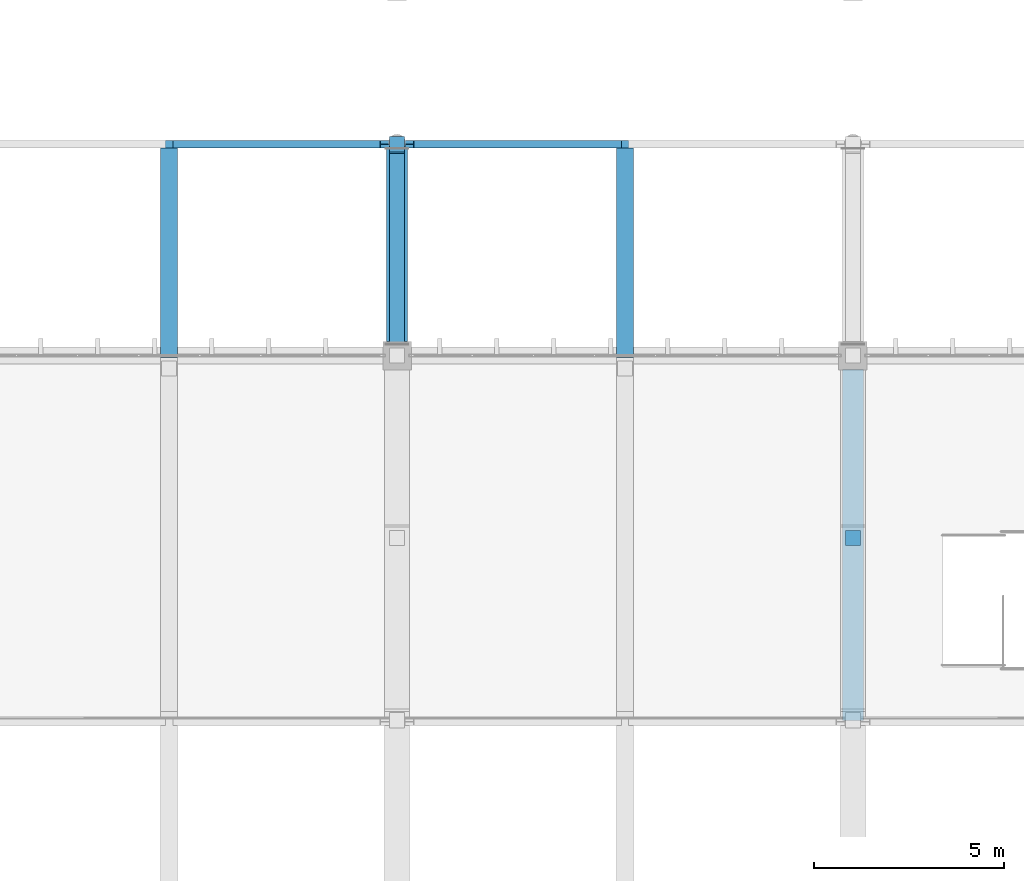
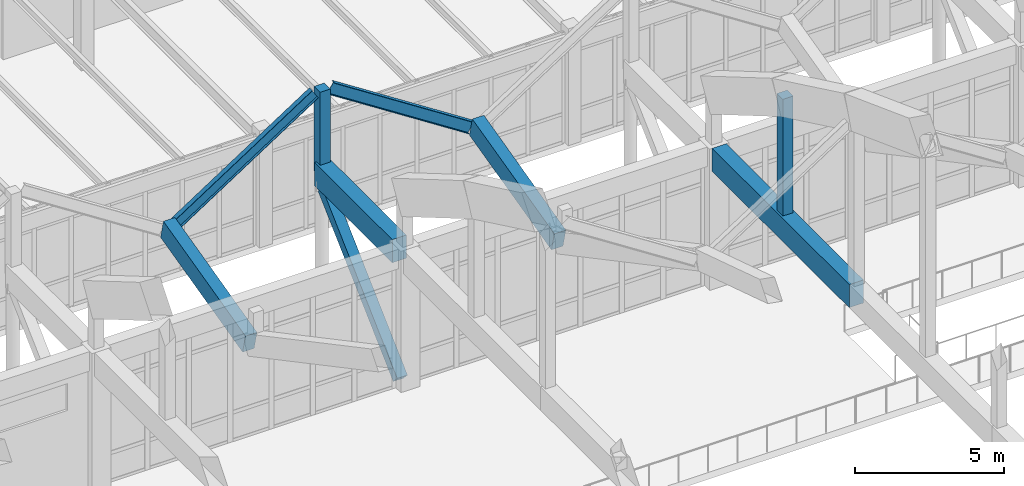
# One storey, part 80 of 236: 6 beams, 3 members.
"""IFC4 building model written with IfcOpenShell, lengths in metres."""

from ifc_helpers import new_model, si_unit, direction, frame, origin, origin_2d, place, context, subcontext, project, spatial, rectangle, i_section, extrude, material, material_profile, profile_set, type_object, element, save


model = new_model("IFC4")

# Units and contexts
model_context = context("Model", 3, precision=1e-05, world=origin(), true_north=direction((0.0, 1.0)))
body_context = subcontext(model_context, "Body", "Model", "MODEL_VIEW")
ifc_project = project(units=[si_unit("LENGTHUNIT", "METRE"), si_unit("AREAUNIT", "SQUARE_METRE"), si_unit("VOLUMEUNIT", "CUBIC_METRE"), si_unit("PLANEANGLEUNIT", "RADIAN"), si_unit("MASSUNIT", "GRAM", prefix="KILO")], contexts=[model_context])

# Site, building, storey
site_placement = place(None, origin())
site = spatial("IfcSite", under=ifc_project, at=site_placement, CompositionType="ELEMENT")
building_placement = place(site_placement, origin())
building = spatial("IfcBuilding", under=site, at=building_placement, Name="Pandanus Reach Market Hall", CompositionType="ELEMENT")
storey_placement = place(building_placement, frame((0.0, 0.0, 5.39990234375)))
storey = spatial("IfcBuildingStorey", under=building, at=storey_placement, Name="L01", CompositionType="ELEMENT", Elevation=5.39990234375)

# Members
ifc_material_1 = material(Name="Concrete N50 (50 MPa)", Category="concrete")
ifc_material_profile_1 = material_profile(ifc_material_1, rectangle(XDim=0.39990234375, YDim=0.39990234375, at=origin_2d()), Name="RC400x400", Category="LoadBearing")
ifc_profile_set_1 = profile_set([ifc_material_profile_1], Name="Concrete N50 (50 MPa)")
member_type_1 = type_object("IfcMemberType", Name="AR-WEB400-E", PredefinedType="STRUT", material=ifc_profile_set_1)
member_1_placement = place(storey_placement, frame((72.0, 91.9599609375, 5.3251953125), z_axis=(0.0, 0.0, 1.0), x_axis=(1.0, 0.0, 0.0)))
element("IfcMember", 1, at=member_1_placement, inside=storey, type_object=member_type_1, Name="Zigzag eaves ridge post A3.N", PredefinedType="STRUT", context=body_context, shape_type="SweptSolid", body=[
    extrude(rectangle(XDim=0.39990234375, YDim=0.39990234375, at=origin_2d()), origin(), (0.0, 0.0, 1.0), 3.474853515625),
])
member_2_placement = place(storey_placement, frame((84.0, 81.60009765625, 5.3251953125), z_axis=(0.0, 0.0, 1.0), x_axis=(1.0, 0.0, 0.0)))
element("IfcMember", 2, at=member_2_placement, inside=storey, type_object=member_type_1, Name="Arch truss vertical web strut A4.11", PredefinedType="STRUT", context=body_context, shape_type="SweptSolid", body=[
    extrude(rectangle(XDim=0.39990234375, YDim=0.39990234375, at=origin_2d()), origin(), (0.0, 0.0, 1.0), 5.26611328125),
])

# Beams
ifc_material_2 = material(Name="Concrete N40 (40 MPa)", Category="concrete")
ifc_material_profile_2 = material_profile(ifc_material_2, rectangle(XDim=0.449951171875, YDim=0.800048828125, at=origin_2d()), Name="RC450x800", Category="LoadBearing")
ifc_profile_set_2 = profile_set([ifc_material_profile_2], Name="Concrete N40 (40 MPa)")
beam_type_1 = type_object("IfcBeamType", Name="BM-RC450-I", PredefinedType="BEAM", material=ifc_profile_set_2)
for number, where, z_axis, x_axis, name in (
    (3, (66.0, 86.43994140625, 3.7900390625), (0.0, 0.97055017704, 0.240899053231), (-1.0, 0.0, 0.0), "Butterfly valley beam B2.8"),
    (4, (78.0, 86.43994140625, 3.7900390625), (0.0, 0.97055017704, 0.240899053231), (-1.0, 0.0, 0.0), "Butterfly valley beam B3.8"),
):
    element("IfcBeam", number, at=place(storey_placement, frame(where, z_axis=z_axis, x_axis=x_axis)), inside=storey, type_object=beam_type_1, Name=name, PredefinedType="BEAM", context=body_context, shape_type="SweptSolid", body=[
        extrude(rectangle(XDim=0.449951171875, YDim=0.800048828125, at=origin_2d()), origin(), (0.0, 0.0, 1.0), 5.6875),
    ])
ifc_material_profile_3 = material_profile(ifc_material_1, rectangle(XDim=0.550048828125, YDim=0.949951171875, at=origin_2d()), Name="RC550x950", Category="LoadBearing")
ifc_profile_set_3 = profile_set([ifc_material_profile_3], Name="Concrete N50 (50 MPa)")
beam_type_2 = type_object("IfcBeamType", Name="BM-RC550-E", PredefinedType="BEAM", material=ifc_profile_set_3)
beam_1_placement = place(storey_placement, frame((72.0, 86.77001953125, 5.3251953125), z_axis=(0.0, 1.0, 0.0), x_axis=(-1.0, 0.0, 0.0)))
element("IfcBeam", 5, at=beam_1_placement, inside=storey, type_object=beam_type_2, Name="Zigzag north eaves cantilever girder A3N", PredefinedType="BEAM", context=body_context, shape_type="SweptSolid", body=[
    extrude(rectangle(XDim=0.550048828125, YDim=0.949951171875, at=origin_2d()), origin(), (0.0, 0.0, 1.0), 5.22998046875),
])
ifc_material_profile_4 = material_profile(ifc_material_1, rectangle(XDim=0.550048828125, YDim=0.949951171875, at=origin_2d()), Name="RC550x950", Category="LoadBearing")
ifc_profile_set_4 = profile_set([ifc_material_profile_4], Name="Concrete N50 (50 MPa)")
beam_type_3 = type_object("IfcBeamType", Name="BM-RC550-I", PredefinedType="BEAM", material=ifc_profile_set_4)
beam_2_placement = place(storey_placement, frame((84.0, 76.800048828125, 5.3251953125), z_axis=(0.0, 1.0, 0.0), x_axis=(-1.0, 0.0, 0.0)))
element("IfcBeam", 6, at=beam_2_placement, inside=storey, type_object=beam_type_3, Name="Parabolic arch tie girder A4.6", PredefinedType="BEAM", context=body_context, shape_type="SweptSolid", body=[
    extrude(rectangle(XDim=0.550048828125, YDim=0.949951171875, at=origin_2d()), origin(), (0.0, 0.0, 1.0), 9.22705078125),
])
ifc_material_3 = material(Name="Steel Grade 350 (350 MPa)", Category="steel")
ifc_material_profile_5 = material_profile(ifc_material_3, i_section(OverallWidth=0.18994140625, OverallDepth=0.45703125, WebThickness=0.009033203125, FlangeThickness=0.014404296875, at=origin_2d()), Name="460UB74.6", Category="LoadBearing")
ifc_profile_set_5 = profile_set([ifc_material_profile_5], Name="Steel Grade 350 (350 MPa)")
beam_type_4 = type_object("IfcBeamType", Name="BM-UB460-E", PredefinedType="BEAM", material=ifc_profile_set_5)
for number, where, z_axis, x_axis, name in (
    (7, (66.219970703125, 91.9599609375, 5.16015625), (0.839070527962, 0.0, 0.544022654956), (0.0, 1.0, 0.0), "Butterfly transverse rib B2.8R"),
    (8, (72.320068359375, 91.9599609375, 8.7001953125), (0.839070527962, 0.0, -0.544022654956), (0.0, 1.0, 0.0), "Butterfly transverse rib B3.8L"),
):
    element("IfcBeam", number, at=place(storey_placement, frame(where, z_axis=z_axis, x_axis=x_axis)), inside=storey, type_object=beam_type_4, Name=name, PredefinedType="BEAM", context=body_context, shape_type="SweptSolid", body=[
        extrude(i_section(OverallWidth=0.18994140625, OverallDepth=0.45703125, WebThickness=0.009033203125, FlangeThickness=0.014404296875, at=origin_2d()), origin(), (0.0, 0.0, 1.0), 6.507080078125),
    ])

# Member
ifc_material_profile_6 = material_profile(ifc_material_1, rectangle(XDim=0.39990234375, YDim=0.39990234375, at=origin_2d()), Name="RC400x400", Category="LoadBearing")
ifc_profile_set_6 = profile_set([ifc_material_profile_6], Name="Concrete N50 (50 MPa)")
member_type_2 = type_object("IfcMemberType", Name="VS-RC400-E", PredefinedType="STRUT", material=ifc_profile_set_6)
member_3_placement = place(storey_placement, frame((72.0, 86.699951171875, 0.050048828125), z_axis=(0.0, 0.727995304502, 0.685582115157), x_axis=(-1.0, 0.0, 0.0)))
element("IfcMember", 9, at=member_3_placement, inside=storey, type_object=member_type_2, Name="Splayed concrete north arcade V-strut A3N", PredefinedType="STRUT", context=body_context, shape_type="SweptSolid", body=[
    extrude(rectangle(XDim=0.39990234375, YDim=0.39990234375, at=origin_2d()), origin(), (0.0, 0.0, 1.0), 7.074462890625),
])

save(model, "model.ifc")
